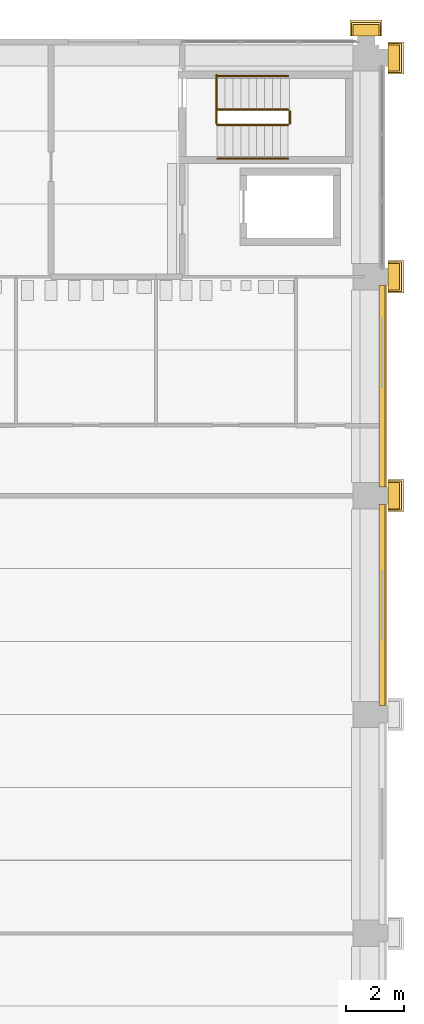
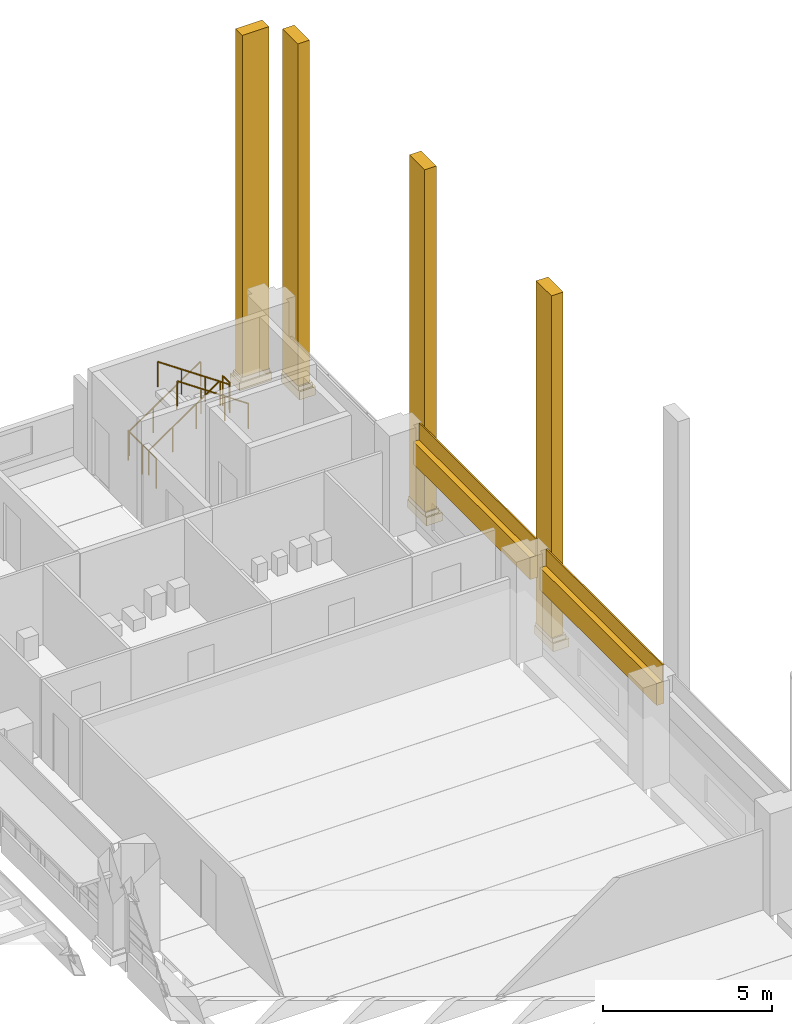
# One storey, part 62 of 67: 14 coverings, 6 railings.
"""IFC4 building model written with IfcOpenShell, lengths in metres."""

from ifc_helpers import new_model, si_unit, direction, frame, origin, origin_2d, place, context, subcontext, project, spatial, polyline, circle, outline, extrude, material, layer, layer_set, type_object, element, save


model = new_model("IFC4")

# Units and contexts
model_context = context("Model", 3, precision=1e-05, world=origin(), true_north=direction((0.0, 1.0)))
body_context = subcontext(model_context, "Body", "Model", "MODEL_VIEW")
ifc_project = project(units=[si_unit("LENGTHUNIT", "METRE"), si_unit("AREAUNIT", "SQUARE_METRE"), si_unit("VOLUMEUNIT", "CUBIC_METRE"), si_unit("PLANEANGLEUNIT", "RADIAN"), si_unit("MASSUNIT", "GRAM", prefix="KILO")], contexts=[model_context])

# Site, building, storey
site_placement = place(None, origin())
site = spatial("IfcSite", under=ifc_project, at=site_placement, CompositionType="ELEMENT")
building_placement = place(site_placement, origin())
building = spatial("IfcBuilding", under=site, at=building_placement, Name="Cour d'Honneur Mobility Palace", CompositionType="ELEMENT")
storey_placement = place(building_placement, frame((0.0, 0.0, 4.5)))
storey = spatial("IfcBuildingStorey", under=building, at=storey_placement, Name="L01", CompositionType="ELEMENT", Elevation=4.5)

# Railings
ifc_material_1 = material(Name="Painted steel", Category="steel")
railing_type_1 = type_object("IfcRailingType", Name="Guardrail 1100", PredefinedType="GUARDRAIL", material=ifc_material_1)
railing_1_placement = place(storey_placement, frame((157.179931640625, 112.64990234375, 0.0)))
element("IfcRailing", 1, at=railing_1_placement, inside=storey, type_object=railing_type_1, Name="Guard ST-NE1", PredefinedType="GUARDRAIL", context=body_context, shape_type="SweptSolid", body=[
    extrude(circle(Radius=0.02490234375, at=origin_2d()), frame((0.0, 0.0, 1.0751953125), z_axis=(0.0, 1.0, 0.0), x_axis=(-1.0, 0.0, 0.0)), (0.0, 0.0, 1.0), 1.675048828125),
    extrude(circle(Radius=0.02099609375, at=origin_2d()), origin(), (0.0, 0.0, 1.0), 1.050048828125),
    extrude(circle(Radius=0.02099609375, at=origin_2d()), frame((0.0, 0.83740234375, 0.0)), (0.0, 0.0, 1.0), 1.050048828125),
    extrude(circle(Radius=0.02099609375, at=origin_2d()), frame((0.0, 1.675048828125, 0.0)), (0.0, 0.0, 1.0), 1.050048828125),
])
railing_2_placement = place(storey_placement, frame((159.68994140625, 112.64990234375, 1.85009765625)))
element("IfcRailing", 2, at=railing_2_placement, inside=storey, type_object=railing_type_1, Name="Landing guard ST-NE1", PredefinedType="GUARDRAIL", context=body_context, shape_type="SweptSolid", body=[
    extrude(circle(Radius=0.02490234375, at=origin_2d()), frame((0.0, 0.0, 1.0751953125), z_axis=(0.0, 1.0, 0.0), x_axis=(-1.0, 0.0, 0.0)), (0.0, 0.0, 1.0), 0.425048828125),
    extrude(circle(Radius=0.02099609375, at=origin_2d()), origin(), (0.0, 0.0, 1.0), 1.050048828125),
    extrude(circle(Radius=0.02099609375, at=origin_2d()), frame((0.0, 0.425048828125, 0.0)), (0.0, 0.0, 1.0), 1.050048828125),
])
ifc_material_2 = material(Name="Stainless steel", Category="steel")
railing_type_2 = type_object("IfcRailingType", Name="Handrail round 50", PredefinedType="HANDRAIL", material=ifc_material_2)
for number, where, name in (
    (3, (157.199951171875, 114.27490234375, 0.18505859375), "Handrail ST-NE1"),
    (4, (157.199951171875, 113.125, 0.18505859375), "Handrail ST-NE1"),
):
    element("IfcRailing", number, at=place(storey_placement, frame(where)), inside=storey, type_object=railing_type_2, Name=name, PredefinedType="HANDRAIL", context=body_context, shape_type="SweptSolid", body=[
        extrude(circle(Radius=0.02490234375, at=origin_2d()), frame((0.0, 0.0, 0.89501953125), z_axis=(0.8249187745, 0.0, 0.56525128525), x_axis=(0.0, 1.0, 0.0)), (0.0, 0.0, 1.0), 2.945556640625),
        extrude(circle(Radius=0.02099609375, at=origin_2d()), origin(), (0.0, 0.0, 1.0), 0.869873046875),
        extrude(circle(Radius=0.02099609375, at=origin_2d()), frame((0.81005859375, 0.0, 0.554931640625)), (0.0, 0.0, 1.0), 0.869873046875),
        extrude(circle(Radius=0.02099609375, at=origin_2d()), frame((1.619873046875, 0.0, 1.110107421875)), (0.0, 0.0, 1.0), 0.869873046875),
        extrude(circle(Radius=0.02099609375, at=origin_2d()), frame((2.429931640625, 0.0, 1.6650390625)), (0.0, 0.0, 1.0), 0.869873046875),
    ])
for number, where, name in (
    (5, (159.6298828125, 112.60009765625, 2.034912109375), "Handrail ST-NE1"),
    (6, (159.6298828125, 111.449951171875, 2.034912109375), "Handrail ST-NE1"),
):
    element("IfcRailing", number, at=place(storey_placement, frame(where)), inside=storey, type_object=railing_type_2, Name=name, PredefinedType="HANDRAIL", context=body_context, shape_type="SweptSolid", body=[
        extrude(circle(Radius=0.02490234375, at=origin_2d()), frame((0.0, 0.0, 0.89501953125), z_axis=(-0.8249187745, 0.0, 0.56525128525), x_axis=(0.0, -1.0, 0.0)), (0.0, 0.0, 1.0), 2.945556640625),
        extrude(circle(Radius=0.02099609375, at=origin_2d()), origin(), (0.0, 0.0, 1.0), 0.869873046875),
        extrude(circle(Radius=0.02099609375, at=origin_2d()), frame((-0.81005859375, 0.0, 0.554931640625)), (0.0, 0.0, 1.0), 0.869873046875),
        extrude(circle(Radius=0.02099609375, at=origin_2d()), frame((-1.619873046875, 0.0, 1.110107421875)), (0.0, 0.0, 1.0), 0.869873046875),
        extrude(circle(Radius=0.02099609375, at=origin_2d()), frame((-2.429931640625, 0.0, 1.6650390625)), (0.0, 0.0, 1.0), 0.869873046875),
    ])

# Coverings
ifc_material_3 = material(Name="Cast limestone", Category="masonry")
ifc_layer_1 = layer(ifc_material_3, 0.14990234375)
ifc_layer_set_1 = layer_set([ifc_layer_1], Name="Cast limestone")
covering_type_1 = type_object("IfcCoveringType", Name="Pilaster base", PredefinedType="CLADDING", material=ifc_layer_set_1)
covering_1_placement = place(storey_placement, frame((0.0, 0.0, 0.10009765625)))
element("IfcCovering", 7, at=covering_1_placement, inside=storey, type_object=covering_type_1, Name="Pilaster base PB-97", PredefinedType="CLADDING", context=body_context, shape_type="SweptSolid", body=[
    extrude(outline(polyline([(163.050048828125, 99.35009765625), (163.050048828125, 100.449951171875), (163.60009765625, 100.449951171875), (163.60009765625, 99.35009765625), (163.050048828125, 99.35009765625)])), origin(), (0.0, 0.0, 1.0), 0.2998046875),
])
covering_2_placement = place(storey_placement, frame((0.0, 0.0, 0.39990234375)))
element("IfcCovering", 8, at=covering_2_placement, inside=storey, type_object=covering_type_1, Name="Pilaster base PB-98", PredefinedType="CLADDING", context=body_context, shape_type="SweptSolid", body=[
    extrude(outline(polyline([(163.050048828125, 99.39990234375), (163.050048828125, 100.39990234375), (163.52001953125, 100.39990234375), (163.52001953125, 99.39990234375), (163.050048828125, 99.39990234375)])), origin(), (0.0, 0.0, 1.0), 0.150146484375),
])
covering_3_placement = place(storey_placement, frame((0.0, 0.0, 0.10009765625)))
element("IfcCovering", 9, at=covering_3_placement, inside=storey, type_object=covering_type_1, Name="Pilaster base PB-99", PredefinedType="CLADDING", context=body_context, shape_type="SweptSolid", body=[
    extrude(outline(polyline([(163.050048828125, 106.85009765625), (163.050048828125, 107.949951171875), (163.60009765625, 107.949951171875), (163.60009765625, 106.85009765625), (163.050048828125, 106.85009765625)])), origin(), (0.0, 0.0, 1.0), 0.2998046875),
])
covering_4_placement = place(storey_placement, frame((0.0, 0.0, 0.39990234375)))
element("IfcCovering", 10, at=covering_4_placement, inside=storey, type_object=covering_type_1, Name="Pilaster base PB-100", PredefinedType="CLADDING", context=body_context, shape_type="SweptSolid", body=[
    extrude(outline(polyline([(163.050048828125, 106.89990234375), (163.050048828125, 107.89990234375), (163.52001953125, 107.89990234375), (163.52001953125, 106.89990234375), (163.050048828125, 106.89990234375)])), origin(), (0.0, 0.0, 1.0), 0.150146484375),
])
covering_5_placement = place(storey_placement, frame((0.0, 0.0, 0.10009765625)))
element("IfcCovering", 11, at=covering_5_placement, inside=storey, type_object=covering_type_1, Name="Pilaster base PB-101", PredefinedType="CLADDING", context=body_context, shape_type="SweptSolid", body=[
    extrude(outline(polyline([(163.050048828125, 114.35009765625), (163.050048828125, 115.449951171875), (163.60009765625, 115.449951171875), (163.60009765625, 114.35009765625), (163.050048828125, 114.35009765625)])), origin(), (0.0, 0.0, 1.0), 0.2998046875),
])
covering_6_placement = place(storey_placement, frame((0.0, 0.0, 0.39990234375)))
element("IfcCovering", 12, at=covering_6_placement, inside=storey, type_object=covering_type_1, Name="Pilaster base PB-102", PredefinedType="CLADDING", context=body_context, shape_type="SweptSolid", body=[
    extrude(outline(polyline([(163.050048828125, 114.39990234375), (163.050048828125, 115.39990234375), (163.52001953125, 115.39990234375), (163.52001953125, 114.39990234375), (163.050048828125, 114.39990234375)])), origin(), (0.0, 0.0, 1.0), 0.150146484375),
])
covering_7_placement = place(storey_placement, frame((0.0, 0.0, 0.10009765625)))
element("IfcCovering", 13, at=covering_7_placement, inside=storey, type_object=covering_type_1, Name="Pilaster base PB-103", PredefinedType="CLADDING", context=body_context, shape_type="SweptSolid", body=[
    extrude(outline(polyline([(162.85009765625, 115.64990234375), (161.75, 115.64990234375), (161.75, 116.199951171875), (162.85009765625, 116.199951171875), (162.85009765625, 115.64990234375)])), origin(), (0.0, 0.0, 1.0), 0.2998046875),
])
covering_8_placement = place(storey_placement, frame((0.0, 0.0, 0.39990234375)))
element("IfcCovering", 14, at=covering_8_placement, inside=storey, type_object=covering_type_1, Name="Pilaster base PB-104", PredefinedType="CLADDING", context=body_context, shape_type="SweptSolid", body=[
    extrude(outline(polyline([(162.800048828125, 115.64990234375), (161.800048828125, 115.64990234375), (161.800048828125, 116.1201171875), (162.800048828125, 116.1201171875), (162.800048828125, 115.64990234375)])), origin(), (0.0, 0.0, 1.0), 0.150146484375),
])
ifc_material_4 = material(Name="Cast limestone", Category="masonry")
ifc_layer_2 = layer(ifc_material_4, 0.39990234375)
ifc_layer_set_2 = layer_set([ifc_layer_2], Name="Cast limestone")
covering_type_2 = type_object("IfcCoveringType", Name="Pilaster shaft", PredefinedType="CLADDING", material=ifc_layer_set_2)
covering_9_placement = place(storey_placement, frame((0.0, 0.0, 0.550048828125)))
element("IfcCovering", 15, at=covering_9_placement, inside=storey, type_object=covering_type_2, Name="Pilaster shaft PS-49", PredefinedType="CLADDING", context=body_context, shape_type="SweptSolid", body=[
    extrude(outline(polyline([(163.050048828125, 99.449951171875), (163.050048828125, 100.35009765625), (163.449951171875, 100.35009765625), (163.449951171875, 99.449951171875), (163.050048828125, 99.449951171875)])), origin(), (0.0, 0.0, 1.0), 12.349853515625),
])
covering_10_placement = place(storey_placement, frame((0.0, 0.0, 0.550048828125)))
element("IfcCovering", 16, at=covering_10_placement, inside=storey, type_object=covering_type_2, Name="Pilaster shaft PS-50", PredefinedType="CLADDING", context=body_context, shape_type="SweptSolid", body=[
    extrude(outline(polyline([(163.050048828125, 106.949951171875), (163.050048828125, 107.85009765625), (163.449951171875, 107.85009765625), (163.449951171875, 106.949951171875), (163.050048828125, 106.949951171875)])), origin(), (0.0, 0.0, 1.0), 12.349853515625),
])
covering_11_placement = place(storey_placement, frame((0.0, 0.0, 0.550048828125)))
element("IfcCovering", 17, at=covering_11_placement, inside=storey, type_object=covering_type_2, Name="Pilaster shaft PS-51", PredefinedType="CLADDING", context=body_context, shape_type="SweptSolid", body=[
    extrude(outline(polyline([(163.050048828125, 114.449951171875), (163.050048828125, 115.35009765625), (163.449951171875, 115.35009765625), (163.449951171875, 114.449951171875), (163.050048828125, 114.449951171875)])), origin(), (0.0, 0.0, 1.0), 12.349853515625),
])
covering_12_placement = place(storey_placement, frame((0.0, 0.0, 0.550048828125)))
element("IfcCovering", 18, at=covering_12_placement, inside=storey, type_object=covering_type_2, Name="Pilaster shaft PS-52", PredefinedType="CLADDING", context=body_context, shape_type="SweptSolid", body=[
    extrude(outline(polyline([(162.75, 115.64990234375), (161.85009765625, 115.64990234375), (161.85009765625, 116.050048828125), (162.75, 116.050048828125), (162.75, 115.64990234375)])), origin(), (0.0, 0.0, 1.0), 12.349853515625),
])
ifc_material_5 = material(Name="Cast limestone", Category="masonry")
ifc_layer_3 = layer(ifc_material_5, 0.25)
ifc_layer_set_3 = layer_set([ifc_layer_3], Name="Cast limestone")
covering_type_3 = type_object("IfcCoveringType", Name="Spandrel cladding", PredefinedType="CLADDING", material=ifc_layer_set_3)
for number, where, z_axis, x_axis, name in (
    (19, (162.75, 92.699951171875, 2.300048828125), (0.0, -1.0, 0.0), (1.0, 0.0, 0.0), "Spandrel cladding SK-98"),
    (20, (162.75, 100.199951171875, 2.300048828125), (0.0, -1.0, 0.0), (1.0, 0.0, 0.0), "Spandrel cladding SK-99"),
):
    element("IfcCovering", number, at=place(storey_placement, frame(where, z_axis=z_axis, x_axis=x_axis)), inside=storey, type_object=covering_type_3, Name=name, PredefinedType="CLADDING", context=body_context, shape_type="SweptSolid", body=[
        extrude(outline(polyline([(0.0, 0.0), (0.25, 0.0), (0.25, 1.39990234375), (0.199951171875, 1.39990234375), (0.199951171875, 0.800048828125), (0.0, 0.800048828125), (0.0, 0.0)])), origin(), (0.0, 0.0, -1.0), 6.89990234375),
    ])

save(model, "model.ifc")
